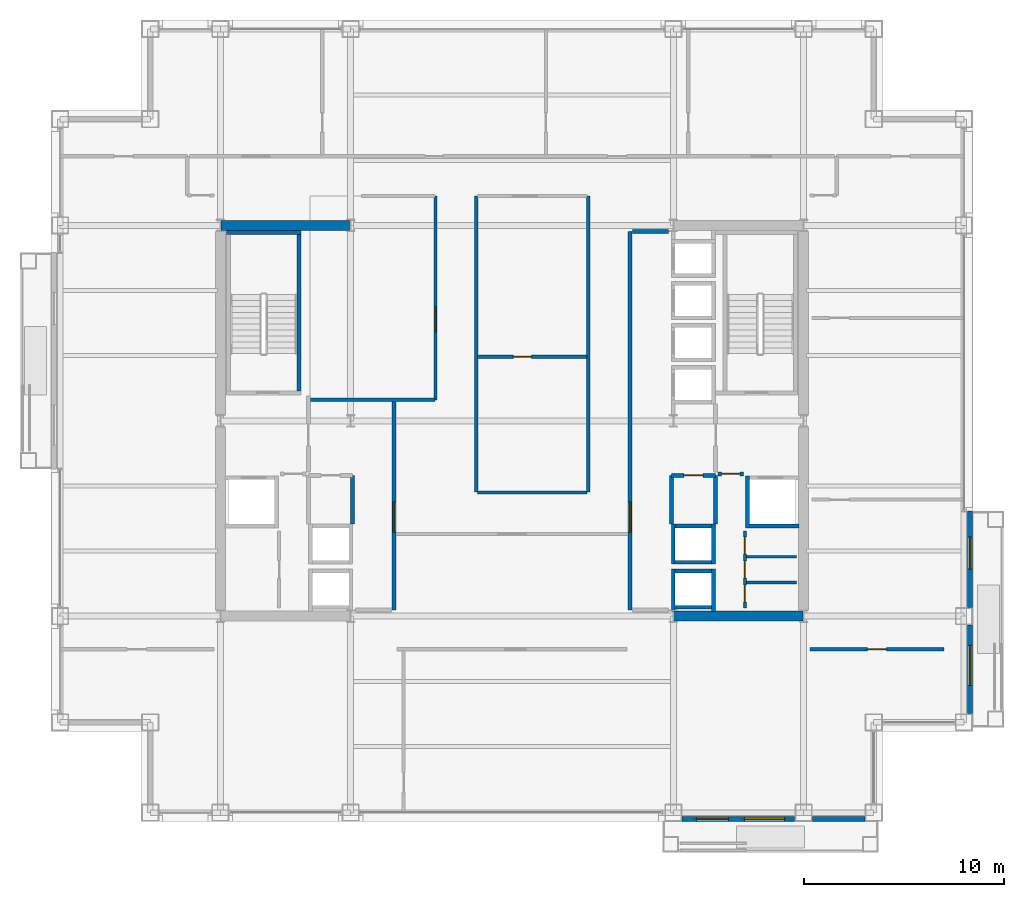
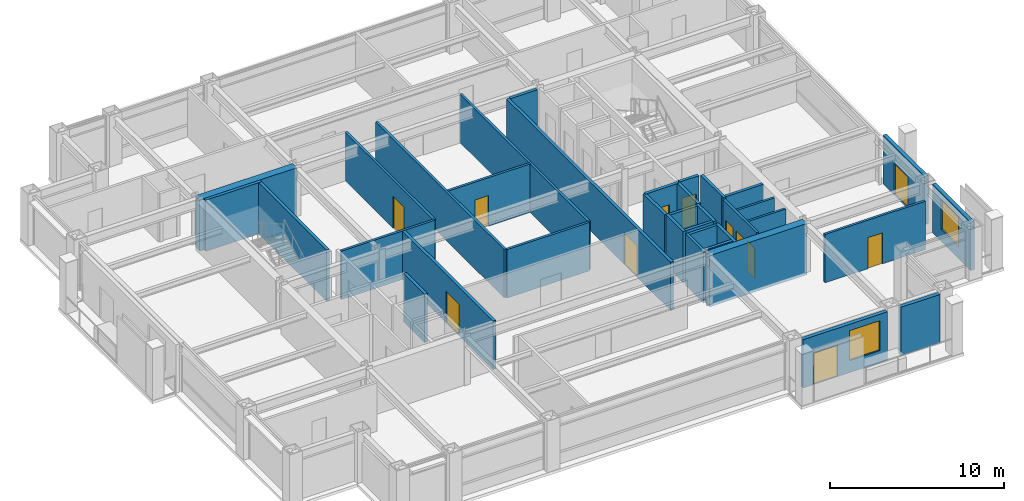
# One storey, part 26 of 31: 36 walls, 12 doors, 2 windows, 14 openings.
"""IFC4 building model written with IfcOpenShell, lengths in metres."""

from ifc_helpers import new_model, si_unit, direction, frame, frame_2d, origin, place, context, subcontext, project, spatial, rectangle, extrude, material, layer, layer_set, type_object, element, fill, save


model = new_model("IFC4")

# Units and contexts
model_context = context("Model", 3, precision=1e-05, world=origin(), true_north=direction((0.0, 1.0)))
body_context = subcontext(model_context, "Body", "Model", "MODEL_VIEW")
ifc_project = project(units=[si_unit("LENGTHUNIT", "METRE"), si_unit("AREAUNIT", "SQUARE_METRE"), si_unit("VOLUMEUNIT", "CUBIC_METRE"), si_unit("PLANEANGLEUNIT", "RADIAN"), si_unit("MASSUNIT", "GRAM", prefix="KILO")], contexts=[model_context])

# Site, building, storey
site_placement = place(None, origin())
site = spatial("IfcSite", under=ifc_project, at=site_placement, CompositionType="ELEMENT")
building_placement = place(site_placement, origin())
building = spatial("IfcBuilding", under=site, at=building_placement, Name="Brelmoor Portico Tower", CompositionType="ELEMENT")
storey_placement = place(building_placement, frame((0.0, 0.0, 106.199951171875)))
storey = spatial("IfcBuildingStorey", under=building, at=storey_placement, Name="L27", CompositionType="ELEMENT", Elevation=106.199951171875)

# Walls
ifc_material_1 = material(Name="Concrete C60", Category="concrete")
ifc_layer_1 = layer(ifc_material_1, 0.5)
ifc_layer_set_1 = layer_set([ifc_layer_1], Name="Concrete C60")
wall_type_1 = type_object("IfcWallType", Name="WL-CORE-500", PredefinedType="SHEAR", material=ifc_layer_set_1)
for number, where, z_axis, x_axis, name in (
    (1, (-14.530029296875, 9.75, -0.199951171875), (0.0, 0.0, 1.0), (1.0, 0.0, 0.0), "L27 WC North Shear Wall"),
    (2, (8.070068359375, -9.75, -0.199951171875), (0.0, 0.0, 1.0), (1.0, 0.0, 0.0), "L27 EC South Shear Wall"),
):
    element("IfcWall", number, at=place(storey_placement, frame(where, z_axis=z_axis, x_axis=x_axis)), inside=storey, type_object=wall_type_1, Name=name, PredefinedType="SHEAR", context=body_context, shape_type="SweptSolid", body=[
        extrude(rectangle(XDim=6.4599609375, YDim=0.5, at=frame_2d((3.22998046875, 0.0))), origin(), (0.0, 0.0, 1.0), 3.60009765625),
    ])

# Wall, openings, door, window
ifc_material_2 = material(Name="Precast Concrete C40 Insulated Facade Wall", Category="concrete")
ifc_layer_2 = layer(ifc_material_2, 0.25)
ifc_layer_set_2 = layer_set([ifc_layer_2], Name="Precast Concrete C40 Insulated Facade Wall")
wall_type_2 = type_object("IfcWallType", Name="WL-EXT-250", PredefinedType="STANDARD", material=ifc_layer_set_2)
wall_1_placement = place(storey_placement, frame((8.4951171875, -19.860107421875, 0.0), z_axis=(0.0, 0.0, 1.0), x_axis=(1.0, 0.0, 0.0)))
wall_1 = element("IfcWall", 3, at=wall_1_placement, inside=storey, type_object=wall_type_2, Name="L27 Loggia Threshold Wall S-1", PredefinedType="STANDARD", context=body_context, shape_type="SweptSolid", body=[
    extrude(rectangle(XDim=5.60986328125, YDim=0.25, at=frame_2d((2.804931640625, 0.0))), origin(), (0.0, 0.0, 1.0), 3.400146484375),
])
opening_1_placement = place(wall_1_placement, frame((0.705078125, 0.0, 0.0)))
opening_1 = element("IfcOpeningElement", 4, at=opening_1_placement, cuts=wall_1, Name="Opening D-TB1", PredefinedType="OPENING", context=body_context, shape_type="SweptSolid", body=[
    extrude(rectangle(XDim=1.60009765625, YDim=2.199951171875, at=frame_2d((0.800048828125, 1.10009765625))), frame((0.0, 0.135009765625, 0.0), z_axis=(0.0, -1.0, 0.0), x_axis=(1.0, 0.0, 0.0)), (0.0, 0.0, 1.0), 0.27001953125),
])
opening_2_placement = place(wall_1_placement, frame((3.10498046875, 0.0, 0.85009765625)))
opening_2 = element("IfcOpeningElement", 5, at=opening_2_placement, cuts=wall_1, Name="Opening W-03", PredefinedType="OPENING", context=body_context, shape_type="SweptSolid", body=[
    extrude(rectangle(XDim=2.0, YDim=2.10009765625, at=frame_2d((1.0, 1.050048828125))), frame((0.0, 0.135009765625, 0.0), z_axis=(0.0, -1.0, 0.0), x_axis=(1.0, 0.0, 0.0)), (0.0, 0.0, 1.0), 0.27001953125),
])
ifc_material_3 = material(Name="Double-Leaf Thermally Broken Terrace Door", Category="aluminium")
door_type_1 = type_object("IfcDoorType", Name="DR-BALCONY-1600", OperationType="NOTDEFINED", PredefinedType="DOOR", material=ifc_material_3)
door_1_placement = place(opening_1_placement, origin())
door_1 = element("IfcDoor", 6, at=door_1_placement, inside=storey, type_object=door_type_1, Name="D-1208 L27 Tree Balcony Double Door S", OperationType="DOUBLE_DOOR_SINGLE_SWING", OverallHeight=2.199951171875, OverallWidth=1.60009765625, PredefinedType="DOOR", context=body_context, shape_type="SweptSolid", body=[
    extrude(rectangle(XDim=1.60009765625, YDim=2.199951171875, at=frame_2d((0.800048828125, 1.10009765625))), frame((0.0, 0.02490234375, 0.0), z_axis=(0.0, -1.0, 0.0), x_axis=(1.0, 0.0, 0.0)), (0.0, 0.0, 1.0), 0.050048828125),
])
fill(opening_1, door_1)
ifc_material_4 = material(Name="Thermally Broken Aluminium Low-E Window", Category="aluminium")
window_type = type_object("IfcWindowType", Name="WN-LOGGIA-2000x2100", PartitioningType="SINGLE_PANEL", PredefinedType="WINDOW", material=ifc_material_4)
window_1_placement = place(opening_2_placement, origin())
window_1 = element("IfcWindow", 7, at=window_1_placement, inside=storey, type_object=window_type, Name="L27 Loggia Window S", OverallHeight=2.10009765625, OverallWidth=2.0, PartitioningType="SINGLE_PANEL", PredefinedType="WINDOW", context=body_context, shape_type="SweptSolid", body=[
    extrude(rectangle(XDim=2.0, YDim=2.10009765625, at=frame_2d((1.0, 1.050048828125))), frame((0.0, 0.030029296875, 0.0), z_axis=(0.0, -1.0, 0.0), x_axis=(1.0, 0.0, 0.0)), (0.0, 0.0, 1.0), 0.06005859375),
])
fill(opening_2, window_1)

# Wall
wall_2_placement = place(storey_placement, frame((14.9951171875, -19.860107421875, 0.0), z_axis=(0.0, 0.0, 1.0), x_axis=(1.0, 0.0, 0.0)))
element("IfcWall", 8, at=wall_2_placement, inside=storey, type_object=wall_type_2, Name="L27 Loggia Threshold Wall S-2", PredefinedType="STANDARD", context=body_context, shape_type="SweptSolid", body=[
    extrude(rectangle(XDim=2.60986328125, YDim=0.25, at=frame_2d((1.304931640625, 0.0))), origin(), (0.0, 0.0, 1.0), 3.400146484375),
])

# Wall, opening, window
wall_3_placement = place(storey_placement, frame((22.860107421875, -14.60498046875, 0.0), z_axis=(0.0, 0.0, 1.0), x_axis=(0.0, 1.0, 0.0)))
wall_3 = element("IfcWall", 9, at=wall_3_placement, inside=storey, type_object=wall_type_2, Name="L27 Loggia Threshold Wall E-1", PredefinedType="STANDARD", context=body_context, shape_type="SweptSolid", body=[
    extrude(rectangle(XDim=4.409912109375, YDim=0.25, at=frame_2d((2.205078125, 0.0))), origin(), (0.0, 0.0, 1.0), 3.400146484375),
])
opening_3_placement = place(wall_3_placement, frame((1.405029296875, 0.0, 0.85009765625)))
opening_3 = element("IfcOpeningElement", 10, at=opening_3_placement, cuts=wall_3, Name="Opening W-03", PredefinedType="OPENING", context=body_context, shape_type="SweptSolid", body=[
    extrude(rectangle(XDim=2.0, YDim=2.10009765625, at=frame_2d((1.0, 1.050048828125))), frame((0.0, 0.135009765625, 0.0), z_axis=(0.0, -1.0, 0.0), x_axis=(1.0, 0.0, 0.0)), (0.0, 0.0, 1.0), 0.27001953125),
])
window_2_placement = place(opening_3_placement, origin())
window_2 = element("IfcWindow", 11, at=window_2_placement, inside=storey, type_object=window_type, Name="L27 Loggia Window E", OverallHeight=2.10009765625, OverallWidth=2.0, PartitioningType="SINGLE_PANEL", PredefinedType="WINDOW", context=body_context, shape_type="SweptSolid", body=[
    extrude(rectangle(XDim=2.0, YDim=2.10009765625, at=frame_2d((1.0, 1.050048828125))), frame((0.0, 0.030029296875, 0.0), z_axis=(0.0, -1.0, 0.0), x_axis=(1.0, 0.0, 0.0)), (0.0, 0.0, 1.0), 0.06005859375),
])
fill(opening_3, window_2)

# Wall, opening, door
wall_4_placement = place(storey_placement, frame((22.860107421875, -9.304931640625, 0.0), z_axis=(0.0, 0.0, 1.0), x_axis=(0.0, 1.0, 0.0)))
wall_4 = element("IfcWall", 12, at=wall_4_placement, inside=storey, type_object=wall_type_2, Name="L27 Loggia Threshold Wall E-2", PredefinedType="STANDARD", context=body_context, shape_type="SweptSolid", body=[
    extrude(rectangle(XDim=4.804931640625, YDim=0.25, at=frame_2d((2.40234375, 0.0))), origin(), (0.0, 0.0, 1.0), 3.400146484375),
])
opening_4_placement = place(wall_4_placement, frame((1.905029296875, 0.0, 0.0)))
opening_4 = element("IfcOpeningElement", 13, at=opening_4_placement, cuts=wall_4, Name="Opening D-TB1", PredefinedType="OPENING", context=body_context, shape_type="SweptSolid", body=[
    extrude(rectangle(XDim=1.60009765625, YDim=2.199951171875, at=frame_2d((0.800048828125, 1.10009765625))), frame((0.0, 0.135009765625, 0.0), z_axis=(0.0, -1.0, 0.0), x_axis=(1.0, 0.0, 0.0)), (0.0, 0.0, 1.0), 0.27001953125),
])
door_2_placement = place(opening_4_placement, origin())
door_2 = element("IfcDoor", 14, at=door_2_placement, inside=storey, type_object=door_type_1, Name="D-1207 L27 Tree Balcony Double Door E", OperationType="DOUBLE_DOOR_SINGLE_SWING", OverallHeight=2.199951171875, OverallWidth=1.60009765625, PredefinedType="DOOR", context=body_context, shape_type="SweptSolid", body=[
    extrude(rectangle(XDim=1.60009765625, YDim=2.199951171875, at=frame_2d((0.800048828125, 1.10009765625))), frame((0.0, 0.02490234375, 0.0), z_axis=(0.0, -1.0, 0.0), x_axis=(1.0, 0.0, 0.0)), (0.0, 0.0, 1.0), 0.050048828125),
])
fill(opening_4, door_2)

# Walls
ifc_material_5 = material(Name="Insulated Stud Suite Partition", Category="gypsum")
ifc_layer_3 = layer(ifc_material_5, 0.139892578125)
ifc_layer_set_3 = layer_set([ifc_layer_3], Name="Insulated Stud Suite Partition")
wall_type_3 = type_object("IfcWallType", Name="WL-PART-140", PredefinedType="PARTITIONING", material=ifc_layer_set_3)
for number, where, z_axis, x_axis, name in (
    (15, (11.699951171875, -8.066650390625, 0.0), (0.0, 0.0, 1.0), (1.0, 0.0, 0.0), "L27 E Core WC Divider 1"),
    (16, (11.699951171875, -6.783203125, 0.0), (0.0, 0.0, 1.0), (1.0, 0.0, 0.0), "L27 E Core WC Divider 2"),
):
    element("IfcWall", number, at=place(storey_placement, frame(where, z_axis=z_axis, x_axis=x_axis)), inside=storey, type_object=wall_type_3, Name=name, PredefinedType="PARTITIONING", context=body_context, shape_type="SweptSolid", body=[
        extrude(rectangle(XDim=2.5, YDim=0.139892578125, at=frame_2d((1.25, 0.0))), origin(), (0.0, 0.0, 1.0), 3.400146484375),
    ])

# Wall, openings, doors
ifc_material_6 = material(Name="Twin-Frame Acoustic Partition", Category="gypsum")
ifc_layer_4 = layer(ifc_material_6, 0.159912109375)
ifc_layer_set_4 = layer_set([ifc_layer_4], Name="Twin-Frame Acoustic Partition")
wall_type_4 = type_object("IfcWallType", Name="WL-PART-160", PredefinedType="PARTITIONING", material=ifc_layer_set_4)
wall_5_placement = place(storey_placement, frame((11.6201171875, -9.35009765625, 0.0), z_axis=(0.0, 0.0, 1.0), x_axis=(0.0, 1.0, 0.0)))
wall_5 = element("IfcWall", 17, at=wall_5_placement, inside=storey, type_object=wall_type_4, Name="L27 E Core Service Front Wall", PredefinedType="PARTITIONING", context=body_context, shape_type="SweptSolid", body=[
    extrude(rectangle(XDim=3.85009765625, YDim=0.159912109375, at=frame_2d((1.925048828125, 0.0))), origin(), (0.0, 0.0, 1.0), 3.400146484375),
])
opening_5_placement = place(wall_5_placement, frame((0.300048828125, 0.0, 0.0)))
opening_5 = element("IfcOpeningElement", 18, at=opening_5_placement, cuts=wall_5, Name="Opening D-WC1", PredefinedType="OPENING", context=body_context, shape_type="SweptSolid", body=[
    extrude(rectangle(XDim=0.85009765625, YDim=2.1201171875, at=frame_2d((0.425048828125, 1.06005859375))), frame((0.0, 0.08984375, 0.0), z_axis=(0.0, -1.0, 0.0), x_axis=(1.0, 0.0, 0.0)), (0.0, 0.0, 1.0), 0.179931640625),
])
opening_6_placement = place(wall_5_placement, frame((1.5, 0.0, 0.0)))
opening_6 = element("IfcOpeningElement", 19, at=opening_6_placement, cuts=wall_5, Name="Opening D-WC1", PredefinedType="OPENING", context=body_context, shape_type="SweptSolid", body=[
    extrude(rectangle(XDim=0.85009765625, YDim=2.1201171875, at=frame_2d((0.425048828125, 1.06005859375))), frame((0.0, 0.08984375, 0.0), z_axis=(0.0, -1.0, 0.0), x_axis=(1.0, 0.0, 0.0)), (0.0, 0.0, 1.0), 0.179931640625),
])
opening_7_placement = place(wall_5_placement, frame((2.699951171875, 0.0, 0.0)))
opening_7 = element("IfcOpeningElement", 20, at=opening_7_placement, cuts=wall_5, Name="Opening D-WC1", PredefinedType="OPENING", context=body_context, shape_type="SweptSolid", body=[
    extrude(rectangle(XDim=0.85009765625, YDim=2.1201171875, at=frame_2d((0.425048828125, 1.06005859375))), frame((0.0, 0.08984375, 0.0), z_axis=(0.0, -1.0, 0.0), x_axis=(1.0, 0.0, 0.0)), (0.0, 0.0, 1.0), 0.179931640625),
])
ifc_material_7 = material(Name="Moisture-Resistant Laminate WC Door", Category="timber")
door_type_2 = type_object("IfcDoorType", Name="DR-WC-850", OperationType="NOTDEFINED", PredefinedType="DOOR", material=ifc_material_7)
door_3_placement = place(opening_5_placement, origin())
door_3 = element("IfcDoor", 21, at=door_3_placement, inside=storey, type_object=door_type_2, Name="D-1179 L27 E Male WC Door", OperationType="SINGLE_SWING_RIGHT", OverallHeight=2.1201171875, OverallWidth=0.85009765625, PredefinedType="DOOR", context=body_context, shape_type="SweptSolid", body=[
    extrude(rectangle(XDim=0.85009765625, YDim=2.1201171875, at=frame_2d((0.425048828125, 1.06005859375))), frame((0.0, 0.02490234375, 0.0), z_axis=(0.0, -1.0, 0.0), x_axis=(1.0, 0.0, 0.0)), (0.0, 0.0, 1.0), 0.050048828125),
])
fill(opening_5, door_3)
door_4_placement = place(opening_6_placement, origin())
door_4 = element("IfcDoor", 22, at=door_4_placement, inside=storey, type_object=door_type_2, Name="D-1180 L27 E Female WC Door", OperationType="SINGLE_SWING_LEFT", OverallHeight=2.1201171875, OverallWidth=0.85009765625, PredefinedType="DOOR", context=body_context, shape_type="SweptSolid", body=[
    extrude(rectangle(XDim=0.85009765625, YDim=2.1201171875, at=frame_2d((0.425048828125, 1.06005859375))), frame((0.0, 0.02490234375, 0.0), z_axis=(0.0, -1.0, 0.0), x_axis=(1.0, 0.0, 0.0)), (0.0, 0.0, 1.0), 0.050048828125),
])
fill(opening_6, door_4)
door_5_placement = place(opening_7_placement, origin())
door_5 = element("IfcDoor", 23, at=door_5_placement, inside=storey, type_object=door_type_2, Name="D-1181 L27 E Janitor Store Door", OperationType="SINGLE_SWING_RIGHT", OverallHeight=2.1201171875, OverallWidth=0.85009765625, PredefinedType="DOOR", context=body_context, shape_type="SweptSolid", body=[
    extrude(rectangle(XDim=0.85009765625, YDim=2.1201171875, at=frame_2d((0.425048828125, 1.06005859375))), frame((0.0, 0.02490234375, 0.0), z_axis=(0.0, -1.0, 0.0), x_axis=(1.0, 0.0, 0.0)), (0.0, 0.0, 1.0), 0.050048828125),
])
fill(opening_7, door_5)

# Wall
wall_6_placement = place(storey_placement, frame((-10.050048828125, 1.050048828125, 0.0), z_axis=(0.0, 0.0, 1.0), x_axis=(1.0, 0.0, 0.0)))
element("IfcWall", 24, at=wall_6_placement, inside=storey, type_object=wall_type_4, Name="L27 Reclaimed West Suite South Wall", PredefinedType="PARTITIONING", context=body_context, shape_type="SweptSolid", body=[
    extrude(rectangle(XDim=6.2099609375, YDim=0.159912109375, at=frame_2d((3.10498046875, 0.0))), origin(), (0.0, 0.0, 1.0), 3.400146484375),
])

# Wall, opening, door
wall_7_placement = place(storey_placement, frame((-3.820068359375, 1.050048828125, 0.0), z_axis=(0.0, 0.0, 1.0), x_axis=(0.0, 1.0, 0.0)))
wall_7 = element("IfcWall", 25, at=wall_7_placement, inside=storey, type_object=wall_type_4, Name="L27 Reclaimed West Suite East Wall", PredefinedType="PARTITIONING", context=body_context, shape_type="SweptSolid", body=[
    extrude(rectangle(XDim=10.169921875, YDim=0.159912109375, at=frame_2d((5.0849609375, 0.0))), origin(), (0.0, 0.0, 1.0), 3.400146484375),
])
opening_8_placement = place(wall_7_placement, frame((3.39990234375, 0.0, 0.0)))
opening_8 = element("IfcOpeningElement", 26, at=opening_8_placement, cuts=wall_7, Name="Opening D-SU1", PredefinedType="OPENING", context=body_context, shape_type="SweptSolid", body=[
    extrude(rectangle(XDim=1.239990234375, YDim=2.239990234375, at=frame_2d((0.6201171875, 1.1201171875))), frame((0.0, 0.08984375, 0.0), z_axis=(0.0, -1.0, 0.0), x_axis=(1.0, 0.0, 0.0)), (0.0, 0.0, 1.0), 0.179931640625),
])
ifc_material_8 = material(Name="Glazed Timber Executive Suite Door", Category="wood")
door_type_3 = type_object("IfcDoorType", Name="DR-SUITE-1200", OperationType="NOTDEFINED", PredefinedType="DOOR", material=ifc_material_8)
door_6_placement = place(opening_8_placement, origin())
door_6 = element("IfcDoor", 27, at=door_6_placement, inside=storey, type_object=door_type_3, Name="D-1200 L27 West Reclaimed Collaboration Office Door", OperationType="SINGLE_SWING_LEFT", OverallHeight=2.239990234375, OverallWidth=1.239990234375, PredefinedType="DOOR", context=body_context, shape_type="SweptSolid", body=[
    extrude(rectangle(XDim=1.239990234375, YDim=2.239990234375, at=frame_2d((0.6201171875, 1.1201171875))), frame((0.0, 0.02490234375, 0.0), z_axis=(0.0, -1.0, 0.0), x_axis=(1.0, 0.0, 0.0)), (0.0, 0.0, 1.0), 0.050048828125),
])
fill(opening_8, door_6)

# Walls
for number, where, z_axis, x_axis, name in (
    (28, (-1.780029296875, -3.550048828125, 0.0), (0.0, 0.0, 1.0), (0.0, 1.0, 0.0), "L27 Central Studio West Wall"),
    (29, (3.800048828125, -3.550048828125, 0.0), (0.0, 0.0, 1.0), (0.0, 1.0, 0.0), "L27 Central Studio East Wall"),
):
    element("IfcWall", number, at=place(storey_placement, frame(where, z_axis=z_axis, x_axis=x_axis)), inside=storey, type_object=wall_type_4, Name=name, PredefinedType="PARTITIONING", context=body_context, shape_type="SweptSolid", body=[
        extrude(rectangle(XDim=14.77001953125, YDim=0.159912109375, at=frame_2d((7.385009765625, 0.0))), origin(), (0.0, 0.0, 1.0), 3.400146484375),
    ])
wall_8_placement = place(storey_placement, frame((-1.72998046875, -3.580078125, 0.0), z_axis=(0.0, 0.0, 1.0), x_axis=(1.0, 0.0, 0.0)))
element("IfcWall", 30, at=wall_8_placement, inside=storey, type_object=wall_type_4, Name="L27 Central Studio South Wall", PredefinedType="PARTITIONING", context=body_context, shape_type="SweptSolid", body=[
    extrude(rectangle(XDim=5.47998046875, YDim=0.159912109375, at=frame_2d((2.739990234375, 0.0))), origin(), (0.0, 0.0, 1.0), 3.400146484375),
])

# Wall, opening, door
wall_9_placement = place(storey_placement, frame((-1.72998046875, 3.199951171875, 0.0), z_axis=(0.0, 0.0, 1.0), x_axis=(1.0, 0.0, 0.0)))
wall_9 = element("IfcWall", 31, at=wall_9_placement, inside=storey, type_object=wall_type_4, Name="L27 Central Pantry Divider", PredefinedType="PARTITIONING", context=body_context, shape_type="SweptSolid", body=[
    extrude(rectangle(XDim=5.47998046875, YDim=0.159912109375, at=frame_2d((2.739990234375, 0.0))), origin(), (0.0, 0.0, 1.0), 3.400146484375),
])
opening_9_placement = place(wall_9_placement, frame((1.800048828125, 0.0, 0.0)))
opening_9 = element("IfcOpeningElement", 32, at=opening_9_placement, cuts=wall_9, Name="Opening D-IN1", PredefinedType="OPENING", context=body_context, shape_type="SweptSolid", body=[
    extrude(rectangle(XDim=0.89990234375, YDim=2.14990234375, at=frame_2d((0.449951171875, 1.074951171875))), frame((0.0, 0.08984375, 0.0), z_axis=(0.0, -1.0, 0.0), x_axis=(1.0, 0.0, 0.0)), (0.0, 0.0, 1.0), 0.179931640625),
])
ifc_material_9 = material(Name="Lacquered Timber Suite Door", Category="wood")
door_type_4 = type_object("IfcDoorType", Name="DR-INT-900", OperationType="NOTDEFINED", PredefinedType="DOOR", material=ifc_material_9)
door_7_placement = place(opening_9_placement, origin())
door_7 = element("IfcDoor", 33, at=door_7_placement, inside=storey, type_object=door_type_4, Name="D-1177 L27 Central Pantry Connecting Door", OperationType="SINGLE_SWING_RIGHT", OverallHeight=2.14990234375, OverallWidth=0.89990234375, PredefinedType="DOOR", context=body_context, shape_type="SweptSolid", body=[
    extrude(rectangle(XDim=0.89990234375, YDim=2.14990234375, at=frame_2d((0.449951171875, 1.074951171875))), frame((0.0, 0.02490234375, 0.0), z_axis=(0.0, -1.0, 0.0), x_axis=(1.0, 0.0, 0.0)), (0.0, 0.0, 1.0), 0.050048828125),
])
fill(opening_9, door_7)

wall_10_placement = place(storey_placement, frame((14.8798828125, -11.39990234375, 0.0), z_axis=(0.0, 0.0, 1.0), x_axis=(1.0, 0.0, 0.0)))
wall_10 = element("IfcWall", 34, at=wall_10_placement, inside=storey, type_object=wall_type_4, Name="L27 South Wing Closure ER", PredefinedType="PARTITIONING", context=body_context, shape_type="SweptSolid", body=[
    extrude(rectangle(XDim=6.670166015625, YDim=0.159912109375, at=frame_2d((3.3349609375, 0.0))), origin(), (0.0, 0.0, 1.0), 3.400146484375),
])
opening_10_placement = place(wall_10_placement, frame((2.85498046875, 0.0, 0.0)))
opening_10 = element("IfcOpeningElement", 35, at=opening_10_placement, cuts=wall_10, Name="Opening D-IN2", PredefinedType="OPENING", context=body_context, shape_type="SweptSolid", body=[
    extrude(rectangle(XDim=0.9599609375, YDim=2.179931640625, at=frame_2d((0.47998046875, 1.08984375))), frame((0.0, 0.08984375, 0.0), z_axis=(0.0, -1.0, 0.0), x_axis=(1.0, 0.0, 0.0)), (0.0, 0.0, 1.0), 0.179931640625),
])
door_type_5 = type_object("IfcDoorType", Name="DR-INT-950", OperationType="NOTDEFINED", PredefinedType="DOOR", material=ifc_material_9)
door_8_placement = place(opening_10_placement, origin())
door_8 = element("IfcDoor", 36, at=door_8_placement, inside=storey, type_object=door_type_5, Name="D-1205 L27 ER Wing South Suite Door", OperationType="SINGLE_SWING_LEFT", OverallHeight=2.179931640625, OverallWidth=0.9599609375, PredefinedType="DOOR", context=body_context, shape_type="SweptSolid", body=[
    extrude(rectangle(XDim=0.9599609375, YDim=2.179931640625, at=frame_2d((0.47998046875, 1.08984375))), frame((0.0, 0.02490234375, 0.0), z_axis=(0.0, -1.0, 0.0), x_axis=(1.0, 0.0, 0.0)), (0.0, 0.0, 1.0), 0.050048828125),
])
fill(opening_10, door_8)

ifc_material_10 = material(Name="Double-Stud Gypsum Fire Partition", Category="gypsum")
ifc_layer_5 = layer(ifc_material_10, 0.199951171875)
ifc_layer_set_5 = layer_set([ifc_layer_5], Name="Double-Stud Gypsum Fire Partition")
wall_type_5 = type_object("IfcWallType", Name="WL-PART-200", PredefinedType="PARTITIONING", material=ifc_layer_set_5)
wall_11_placement = place(storey_placement, frame((-5.89990234375, -9.449951171875, 0.0), z_axis=(0.0, 0.0, 1.0), x_axis=(0.0, 1.0, 0.0)))
wall_11 = element("IfcWall", 37, at=wall_11_placement, inside=storey, type_object=wall_type_5, Name="L27 W Core Lobby Compartment Wall", PredefinedType="PARTITIONING", context=body_context, shape_type="SweptSolid", body=[
    extrude(rectangle(XDim=10.5, YDim=0.199951171875, at=frame_2d((5.25, 0.0))), origin(), (0.0, 0.0, 1.0), 3.400146484375),
])
opening_11_placement = place(wall_11_placement, frame((3.89990234375, 0.0, 0.0)))
opening_11 = element("IfcOpeningElement", 38, at=opening_11_placement, cuts=wall_11, Name="Opening D-LB1", PredefinedType="OPENING", context=body_context, shape_type="SweptSolid", body=[
    extrude(rectangle(XDim=1.5, YDim=2.199951171875, at=frame_2d((0.75, 1.10009765625))), frame((0.0, 0.10986328125, 0.0), z_axis=(0.0, -1.0, 0.0), x_axis=(1.0, 0.0, 0.0)), (0.0, 0.0, 1.0), 0.219970703125),
])
ifc_material_11 = material(Name="Double-Leaf Glazed Steel Fire Door", Category="steel")
door_type_6 = type_object("IfcDoorType", Name="DR-LOBBY-1500", OperationType="NOTDEFINED", PredefinedType="DOOR", material=ifc_material_11)
door_9_placement = place(opening_11_placement, origin())
door_9 = element("IfcDoor", 39, at=door_9_placement, inside=storey, type_object=door_type_6, Name="D-1190 L27 W Lift Lobby Main Door", OperationType="DOUBLE_DOOR_SINGLE_SWING", OverallHeight=2.199951171875, OverallWidth=1.5, PredefinedType="DOOR", context=body_context, shape_type="SweptSolid", body=[
    extrude(rectangle(XDim=1.5, YDim=2.199951171875, at=frame_2d((0.75, 1.10009765625))), frame((0.0, 0.02490234375, 0.0), z_axis=(0.0, -1.0, 0.0), x_axis=(1.0, 0.0, 0.0)), (0.0, 0.0, 1.0), 0.050048828125),
])
fill(opening_11, door_9)

# Wall
wall_12_placement = place(storey_placement, frame((-7.9599609375, -5.159912109375, 0.0), z_axis=(0.0, 0.0, 1.0), x_axis=(0.0, 1.0, 0.0)))
element("IfcWall", 40, at=wall_12_placement, inside=storey, type_object=wall_type_5, Name="L27 W Electrical Switchgear Closet Inner Wall", PredefinedType="PARTITIONING", context=body_context, shape_type="SweptSolid", body=[
    extrude(rectangle(XDim=2.43994140625, YDim=0.199951171875, at=frame_2d((1.219970703125, 0.0))), origin(), (0.0, 0.0, 1.0), 3.400146484375),
])

# Wall, opening, door
wall_13_placement = place(storey_placement, frame((5.89990234375, -9.449951171875, 0.0), z_axis=(0.0, 0.0, 1.0), x_axis=(0.0, 1.0, 0.0)))
wall_13 = element("IfcWall", 41, at=wall_13_placement, inside=storey, type_object=wall_type_5, Name="L27 E Core Lobby Compartment Wall", PredefinedType="PARTITIONING", context=body_context, shape_type="SweptSolid", body=[
    extrude(rectangle(XDim=18.89990234375, YDim=0.199951171875, at=frame_2d((9.449951171875, 0.0))), origin(), (0.0, 0.0, 1.0), 3.400146484375),
])
opening_12_placement = place(wall_13_placement, frame((3.89990234375, 0.0, 0.0)))
opening_12 = element("IfcOpeningElement", 42, at=opening_12_placement, cuts=wall_13, Name="Opening D-LB1", PredefinedType="OPENING", context=body_context, shape_type="SweptSolid", body=[
    extrude(rectangle(XDim=1.5, YDim=2.199951171875, at=frame_2d((0.75, 1.10009765625))), frame((0.0, 0.10986328125, 0.0), z_axis=(0.0, -1.0, 0.0), x_axis=(1.0, 0.0, 0.0)), (0.0, 0.0, 1.0), 0.219970703125),
])
door_10_placement = place(opening_12_placement, origin())
door_10 = element("IfcDoor", 43, at=door_10_placement, inside=storey, type_object=door_type_6, Name="D-1189 L27 E Lift Lobby Main Door", OperationType="DOUBLE_DOOR_SINGLE_SWING", OverallHeight=2.199951171875, OverallWidth=1.5, PredefinedType="DOOR", context=body_context, shape_type="SweptSolid", body=[
    extrude(rectangle(XDim=1.5, YDim=2.199951171875, at=frame_2d((0.75, 1.10009765625))), frame((0.0, 0.02490234375, 0.0), z_axis=(0.0, -1.0, 0.0), x_axis=(1.0, 0.0, 0.0)), (0.0, 0.0, 1.0), 0.050048828125),
])
fill(opening_12, door_10)

# Wall
wall_14_placement = place(storey_placement, frame((6.02001953125, 9.449951171875, 0.0), z_axis=(0.0, 0.0, 1.0), x_axis=(1.0, 0.0, 0.0)))
element("IfcWall", 44, at=wall_14_placement, inside=storey, type_object=wall_type_5, Name="L27 E Lift Lobby North End Wall", PredefinedType="PARTITIONING", context=body_context, shape_type="SweptSolid", body=[
    extrude(rectangle(XDim=1.800048828125, YDim=0.199951171875, at=frame_2d((0.89990234375, 0.0))), origin(), (0.0, 0.0, 1.0), 3.400146484375),
])

# Wall, opening, door
wall_15_placement = place(storey_placement, frame((10.280029296875, -2.64990234375, 0.0), z_axis=(0.0, 0.0, 1.0), x_axis=(1.0, 0.0, 0.0)))
wall_15 = element("IfcWall", 45, at=wall_15_placement, inside=storey, type_object=wall_type_5, Name="L27 E Firefighting Lobby South Wall", PredefinedType="PARTITIONING", context=body_context, shape_type="SweptSolid", body=[
    extrude(rectangle(XDim=1.27001953125, YDim=0.199951171875, at=frame_2d((0.635009765625, 0.0))), origin(), (0.0, 0.0, 1.0), 3.400146484375),
])
opening_13_placement = place(wall_15_placement, frame((0.18505859375, 0.0, 0.0)))
opening_13 = element("IfcOpeningElement", 46, at=opening_13_placement, cuts=wall_15, Name="Opening D-IN1", PredefinedType="OPENING", context=body_context, shape_type="SweptSolid", body=[
    extrude(rectangle(XDim=0.89990234375, YDim=2.14990234375, at=frame_2d((0.449951171875, 1.074951171875))), frame((0.0, 0.10986328125, 0.0), z_axis=(0.0, -1.0, 0.0), x_axis=(1.0, 0.0, 0.0)), (0.0, 0.0, 1.0), 0.219970703125),
])
door_11_placement = place(opening_13_placement, origin())
door_11 = element("IfcDoor", 47, at=door_11_placement, inside=storey, type_object=door_type_4, Name="D-1182 L27 E Core Service Vestibule Door", OperationType="SINGLE_SWING_RIGHT", OverallHeight=2.14990234375, OverallWidth=0.89990234375, PredefinedType="DOOR", context=body_context, shape_type="SweptSolid", body=[
    extrude(rectangle(XDim=0.89990234375, YDim=2.14990234375, at=frame_2d((0.449951171875, 1.074951171875))), frame((0.0, 0.02490234375, 0.0), z_axis=(0.0, -1.0, 0.0), x_axis=(1.0, 0.0, 0.0)), (0.0, 0.0, 1.0), 0.050048828125),
])
fill(opening_13, door_11)

wall_16_placement = place(storey_placement, frame((7.9599609375, -2.719970703125, 0.0), z_axis=(0.0, 0.0, 1.0), x_axis=(1.0, 0.0, 0.0)))
wall_16 = element("IfcWall", 48, at=wall_16_placement, inside=storey, type_object=wall_type_5, Name="L27 E Electrical Switchgear Closet Wall", PredefinedType="PARTITIONING", context=body_context, shape_type="SweptSolid", body=[
    extrude(rectangle(XDim=2.199951171875, YDim=0.199951171875, at=frame_2d((1.10009765625, 0.0))), origin(), (0.0, 0.0, 1.0), 3.400146484375),
])
opening_14_placement = place(wall_16_placement, frame((0.6201171875, 0.0, 0.0)))
opening_14 = element("IfcOpeningElement", 49, at=opening_14_placement, cuts=wall_16, Name="Opening D-FR4", PredefinedType="OPENING", context=body_context, shape_type="SweptSolid", body=[
    extrude(rectangle(XDim=0.949951171875, YDim=2.10009765625, at=frame_2d((0.47509765625, 1.050048828125))), frame((0.0, 0.10986328125, 0.0), z_axis=(0.0, -1.0, 0.0), x_axis=(1.0, 0.0, 0.0)), (0.0, 0.0, 1.0), 0.219970703125),
])
ifc_material_12 = material(Name="Painted Galvanised Steel Riser Door", Category="steel")
door_type_7 = type_object("IfcDoorType", Name="DR-FIRE-950", OperationType="NOTDEFINED", PredefinedType="DOOR", material=ifc_material_12)
door_12_placement = place(opening_14_placement, origin())
door_12 = element("IfcDoor", 50, at=door_12_placement, inside=storey, type_object=door_type_7, Name="D-1185 L27 E Electrical Switchgear Closet Door", OperationType="SINGLE_SWING_LEFT", OverallHeight=2.10009765625, OverallWidth=0.949951171875, PredefinedType="DOOR", context=body_context, shape_type="SweptSolid", body=[
    extrude(rectangle(XDim=0.949951171875, YDim=2.10009765625, at=frame_2d((0.47509765625, 1.050048828125))), frame((0.0, 0.02490234375, 0.0), z_axis=(0.0, -1.0, 0.0), x_axis=(1.0, 0.0, 0.0)), (0.0, 0.0, 1.0), 0.050048828125),
])
fill(opening_14, door_12)

# Walls
for number, where, z_axis, x_axis, name in (
    (51, (7.9599609375, -5.159912109375, 0.0), (0.0, 0.0, 1.0), (0.0, 1.0, 0.0), "L27 E Electrical Switchgear Closet Inner Wall"),
    (52, (10.159912109375, -5.159912109375, 0.0), (0.0, 0.0, 1.0), (0.0, 1.0, 0.0), "L27 E Electrical Switchgear Closet Outer Wall"),
):
    element("IfcWall", number, at=place(storey_placement, frame(where, z_axis=z_axis, x_axis=x_axis)), inside=storey, type_object=wall_type_5, Name=name, PredefinedType="PARTITIONING", context=body_context, shape_type="SweptSolid", body=[
        extrude(rectangle(XDim=2.43994140625, YDim=0.199951171875, at=frame_2d((1.219970703125, 0.0))), origin(), (0.0, 0.0, 1.0), 3.400146484375),
    ])
ifc_material_13 = material(Name="Precast Concrete C40", Category="concrete")
ifc_layer_6 = layer(ifc_material_13, 0.18994140625)
ifc_layer_set_6 = layer_set([ifc_layer_6], Name="Precast Concrete C40")
wall_type_6 = type_object("IfcWallType", Name="WL-SHAFT-180", PredefinedType="SOLIDWALL", material=ifc_layer_set_6)
for number, where, z_axis, x_axis, name in (
    (53, (8.044921875, -9.52001953125, -0.199951171875), (0.0, 0.0, 1.0), (0.0, 1.0, 0.0), "L27 Lift PH3 Hoistway Front Wall"),
    (54, (10.054931640625, -9.52001953125, -0.199951171875), (0.0, 0.0, 1.0), (0.0, 1.0, 0.0), "L27 Lift PH3 Hoistway Back Wall"),
):
    element("IfcWall", number, at=place(storey_placement, frame(where, z_axis=z_axis, x_axis=x_axis)), inside=storey, type_object=wall_type_6, Name=name, PredefinedType="SOLIDWALL", context=body_context, shape_type="SweptSolid", body=[
        extrude(rectangle(XDim=2.1201171875, YDim=0.18994140625, at=frame_2d((1.06005859375, 0.0))), origin(), (0.0, 0.0, 1.0), 3.60009765625),
    ])
for number, where, z_axis, x_axis, name in (
    (55, (7.949951171875, -7.4951171875, -0.199951171875), (0.0, 0.0, 1.0), (1.0, 0.0, 0.0), "L27 Lift PH3 Hoistway North Wall"),
    (56, (7.949951171875, -9.304931640625, -0.199951171875), (0.0, 0.0, 1.0), (1.0, 0.0, 0.0), "L27 Lift PH3 Hoistway South Wall"),
):
    element("IfcWall", number, at=place(storey_placement, frame(where, z_axis=z_axis, x_axis=x_axis)), inside=storey, type_object=wall_type_6, Name=name, PredefinedType="SOLIDWALL", context=body_context, shape_type="SweptSolid", body=[
        extrude(rectangle(XDim=2.199951171875, YDim=0.18994140625, at=frame_2d((1.10009765625, 0.0))), origin(), (0.0, 0.0, 1.0), 3.60009765625),
    ])
for number, where, z_axis, x_axis, name in (
    (57, (8.044921875, -7.14990234375, -0.199951171875), (0.0, 0.0, 1.0), (0.0, 1.0, 0.0), "L27 Lift PH4 Hoistway Front Wall"),
    (58, (10.054931640625, -7.14990234375, -0.199951171875), (0.0, 0.0, 1.0), (0.0, 1.0, 0.0), "L27 Lift PH4 Hoistway Back Wall"),
):
    element("IfcWall", number, at=place(storey_placement, frame(where, z_axis=z_axis, x_axis=x_axis)), inside=storey, type_object=wall_type_6, Name=name, PredefinedType="SOLIDWALL", context=body_context, shape_type="SweptSolid", body=[
        extrude(rectangle(XDim=2.0, YDim=0.18994140625, at=frame_2d((1.0, 0.0))), origin(), (0.0, 0.0, 1.0), 3.60009765625),
    ])
for number, where, z_axis, x_axis, name in (
    (59, (7.949951171875, -5.2451171875, -0.199951171875), (0.0, 0.0, 1.0), (1.0, 0.0, 0.0), "L27 Lift PH4 Hoistway North Wall"),
    (60, (7.949951171875, -7.054931640625, -0.199951171875), (0.0, 0.0, 1.0), (1.0, 0.0, 0.0), "L27 Lift PH4 Hoistway South Wall"),
):
    element("IfcWall", number, at=place(storey_placement, frame(where, z_axis=z_axis, x_axis=x_axis)), inside=storey, type_object=wall_type_6, Name=name, PredefinedType="SOLIDWALL", context=body_context, shape_type="SweptSolid", body=[
        extrude(rectangle(XDim=2.199951171875, YDim=0.18994140625, at=frame_2d((1.10009765625, 0.0))), origin(), (0.0, 0.0, 1.0), 3.60009765625),
    ])
wall_17_placement = place(storey_placement, frame((11.64990234375, -5.2548828125, -0.199951171875), z_axis=(0.0, 0.0, 1.0), x_axis=(1.0, 0.0, 0.0)))
element("IfcWall", 61, at=wall_17_placement, inside=storey, type_object=wall_type_6, Name="L27 Firefighting Lift FF2 South Wall", PredefinedType="SOLIDWALL", context=body_context, shape_type="SweptSolid", body=[
    extrude(rectangle(XDim=2.68017578125, YDim=0.18994140625, at=frame_2d((1.340087890625, 0.0))), origin(), (0.0, 0.0, 1.0), 3.60009765625),
])
wall_18_placement = place(storey_placement, frame((11.7451171875, -5.35009765625, -0.199951171875), z_axis=(0.0, 0.0, 1.0), x_axis=(0.0, 1.0, 0.0)))
element("IfcWall", 62, at=wall_18_placement, inside=storey, type_object=wall_type_6, Name="L27 Firefighting Lift FF2 Inner Wall", PredefinedType="SOLIDWALL", context=body_context, shape_type="SweptSolid", body=[
    extrude(rectangle(XDim=2.60009765625, YDim=0.18994140625, at=frame_2d((1.300048828125, 0.0))), origin(), (0.0, 0.0, 1.0), 3.60009765625),
])
ifc_material_14 = material(Name="Concrete C40", Category="concrete")
ifc_layer_7 = layer(ifc_material_14, 0.199951171875)
ifc_layer_set_7 = layer_set([ifc_layer_7], Name="Concrete C40")
wall_type_7 = type_object("IfcWallType", Name="WL-SHAFT-RC200", PredefinedType="SOLIDWALL", material=ifc_layer_set_7)
wall_19_placement = place(storey_placement, frame((-14.25, 9.39990234375, -0.199951171875), z_axis=(0.0, 0.0, 1.0), x_axis=(1.0, 0.0, 0.0)))
element("IfcWall", 63, at=wall_19_placement, inside=storey, type_object=wall_type_7, Name="L27 ST-W Structural Stair Wall N", PredefinedType="SOLIDWALL", context=body_context, shape_type="SweptSolid", body=[
    extrude(rectangle(XDim=3.719970703125, YDim=0.199951171875, at=frame_2d((1.85986328125, 0.0))), origin(), (0.0, 0.0, 1.0), 3.60009765625),
])
wall_20_placement = place(storey_placement, frame((-10.6298828125, 1.5, -0.199951171875), z_axis=(0.0, 0.0, 1.0), x_axis=(0.0, 1.0, 0.0)))
element("IfcWall", 64, at=wall_20_placement, inside=storey, type_object=wall_type_7, Name="L27 ST-W Structural Stair Wall Inner", PredefinedType="SOLIDWALL", context=body_context, shape_type="SweptSolid", body=[
    extrude(rectangle(XDim=7.800048828125, YDim=0.199951171875, at=frame_2d((3.89990234375, 0.0))), origin(), (0.0, 0.0, 1.0), 3.60009765625),
])

save(model, "model.ifc")
